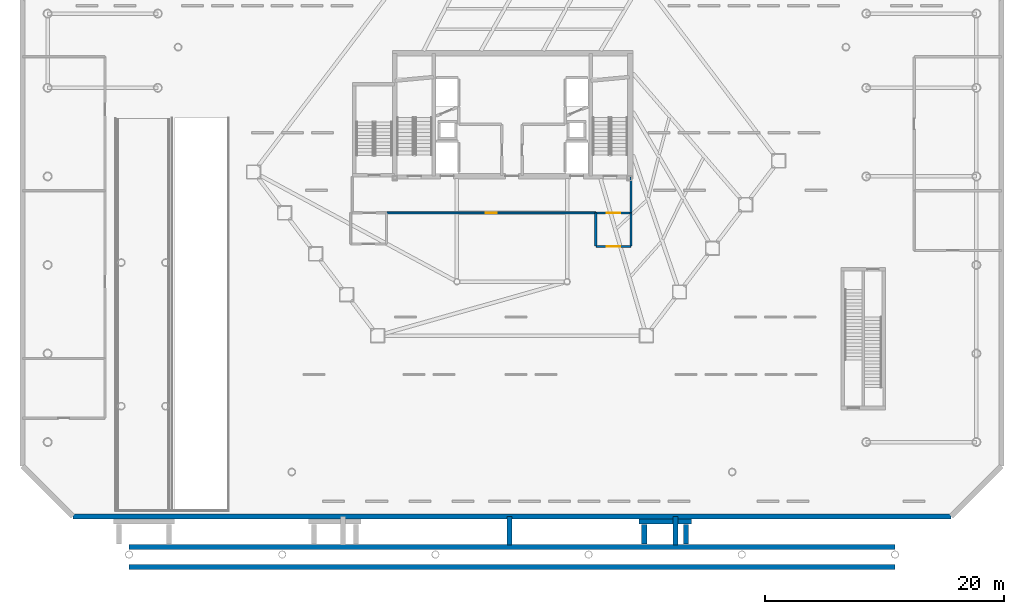
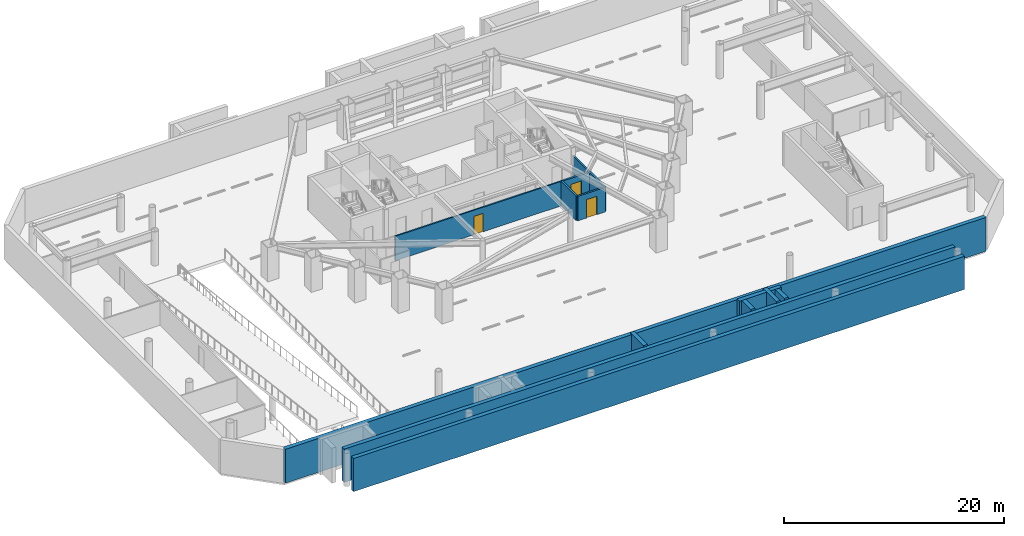
# One storey, part 8 of 15: 14 walls, 3 doors, 3 openings.
"""IFC4 building model written with IfcOpenShell, lengths in metres."""

from ifc_helpers import new_model, si_unit, direction, frame, frame_2d, origin, place, context, subcontext, project, spatial, rectangle, extrude, material, layer, layer_set, type_object, element, fill, save


model = new_model("IFC4")

# Units and contexts
model_context = context("Model", 3, precision=1e-05, world=origin(), true_north=direction((0.0, 1.0)))
body_context = subcontext(model_context, "Body", "Model", "MODEL_VIEW")
ifc_project = project(units=[si_unit("LENGTHUNIT", "METRE"), si_unit("AREAUNIT", "SQUARE_METRE"), si_unit("VOLUMEUNIT", "CUBIC_METRE"), si_unit("PLANEANGLEUNIT", "RADIAN"), si_unit("MASSUNIT", "GRAM", prefix="KILO")], contexts=[model_context])

# Site, building, storey
site_placement = place(None, origin())
site = spatial("IfcSite", under=ifc_project, at=site_placement, CompositionType="ELEMENT")
building_placement = place(site_placement, origin())
building = spatial("IfcBuilding", under=site, at=building_placement, Name="Zarrinselat Tower", CompositionType="ELEMENT")
storey_placement = place(building_placement, frame((0.0, 0.0, -4.080078125)))
storey = spatial("IfcBuildingStorey", under=building, at=storey_placement, Name="B01", CompositionType="ELEMENT", Elevation=-4.080078125)

# Wall, opening, door
ifc_material_1 = material(Name="Concrete C40/50", Category="concrete")
ifc_layer_1 = layer(ifc_material_1, 0.18994140625)
ifc_layer_set_1 = layer_set([ifc_layer_1], Name="Concrete C40/50")
wall_type_1 = type_object("IfcWallType", Name="WAL-PART-EI120", PredefinedType="PARTITIONING", material=ifc_layer_set_1)
wall_1_placement = place(storey_placement, frame((45.405029296875, 30.14990234375, 0.0), z_axis=(0.0, 0.0, 1.0), x_axis=(1.0, 0.0, 0.0)))
wall_1 = element("IfcWall", 1, at=wall_1_placement, inside=storey, type_object=wall_type_1, Name="B01 Partition Wall 7", PredefinedType="PARTITIONING", context=body_context, shape_type="SweptSolid", body=[
    extrude(rectangle(XDim=2.925048828125, YDim=0.18994140625, at=frame_2d((1.46240234375, 0.0))), origin(), (0.0, 0.0, 1.0), 2.717041015625),
])
opening_1_placement = place(wall_1_placement, frame((0.902587890625, 0.0, 0.0)))
opening_1 = element("IfcOpeningElement", 2, at=opening_1_placement, cuts=wall_1, Name="Opening ID-02", PredefinedType="OPENING", context=body_context, shape_type="SweptSolid", body=[
    extrude(rectangle(XDim=1.1201171875, YDim=2.050048828125, at=frame_2d((0.56005859375, 1.02490234375))), frame((0.0, 0.10498046875, 0.0), z_axis=(0.0, -1.0, 0.0), x_axis=(1.0, 0.0, 0.0)), (0.0, 0.0, 1.0), 0.2099609375),
])
ifc_material_2 = material(Name="Steel S355J2", Category="steel")
door_type_1 = type_object("IfcDoorType", Name="DR-INT-FD60-W", OperationType="NOTDEFINED", PredefinedType="DOOR", material=ifc_material_2)
door_1_placement = place(opening_1_placement, origin())
door_1 = element("IfcDoor", 3, at=door_1_placement, inside=storey, type_object=door_type_1, Name="B01 Interior Door P7", OperationType="SINGLE_SWING_LEFT", OverallHeight=2.050048828125, OverallWidth=1.1201171875, PredefinedType="DOOR", context=body_context, shape_type="SweptSolid", body=[
    extrude(rectangle(XDim=1.1201171875, YDim=2.050048828125, at=frame_2d((0.56005859375, 1.02490234375))), frame((0.0, 0.02490234375, 0.0), z_axis=(0.0, -1.0, 0.0), x_axis=(1.0, 0.0, 0.0)), (0.0, 0.0, 1.0), 0.050048828125),
])
fill(opening_1, door_1)

wall_2_placement = place(storey_placement, frame((45.419921875, 27.35009765625, 0.0), z_axis=(0.0, 0.0, 1.0), x_axis=(1.0, 0.0, 0.0)))
wall_2 = element("IfcWall", 4, at=wall_2_placement, inside=storey, type_object=wall_type_1, Name="B01 Partition Wall 12", PredefinedType="PARTITIONING", context=body_context, shape_type="SweptSolid", body=[
    extrude(rectangle(XDim=2.91015625, YDim=0.18994140625, at=frame_2d((1.455078125, 0.0))), origin(), (0.0, 0.0, 1.0), 2.717041015625),
])
opening_2_placement = place(wall_2_placement, frame((0.89501953125, 0.0, 0.0)))
opening_2 = element("IfcOpeningElement", 5, at=opening_2_placement, cuts=wall_2, Name="Opening ID-02", PredefinedType="OPENING", context=body_context, shape_type="SweptSolid", body=[
    extrude(rectangle(XDim=1.1201171875, YDim=2.050048828125, at=frame_2d((0.56005859375, 1.02490234375))), frame((0.0, 0.10498046875, 0.0), z_axis=(0.0, -1.0, 0.0), x_axis=(1.0, 0.0, 0.0)), (0.0, 0.0, 1.0), 0.2099609375),
])
door_2_placement = place(opening_2_placement, origin())
door_2 = element("IfcDoor", 6, at=door_2_placement, inside=storey, type_object=door_type_1, Name="B01 Interior Door P12", OperationType="SINGLE_SWING_RIGHT", OverallHeight=2.050048828125, OverallWidth=1.1201171875, PredefinedType="DOOR", context=body_context, shape_type="SweptSolid", body=[
    extrude(rectangle(XDim=1.1201171875, YDim=2.050048828125, at=frame_2d((0.56005859375, 1.02490234375))), frame((0.0, 0.02490234375, 0.0), z_axis=(0.0, -1.0, 0.0), x_axis=(1.0, 0.0, 0.0)), (0.0, 0.0, 1.0), 0.050048828125),
])
fill(opening_2, door_2)

# Walls
for number, where, z_axis, x_axis, name in (
    (7, (45.39990234375, 27.3701171875, 0.0), (0.0, 0.0, 1.0), (0.0, 1.0, 0.0), "B01 Partition Wall 13"),
    (8, (48.35009765625, 27.3701171875, 0.0), (0.0, 0.0, 1.0), (0.0, 1.0, 0.0), "B01 Partition Wall 14"),
):
    element("IfcWall", number, at=place(storey_placement, frame(where, z_axis=z_axis, x_axis=x_axis)), inside=storey, type_object=wall_type_1, Name=name, PredefinedType="PARTITIONING", context=body_context, shape_type="SweptSolid", body=[
        extrude(rectangle(XDim=2.759765625, YDim=0.18994140625, at=frame_2d((1.3798828125, 0.0))), origin(), (0.0, 0.0, 1.0), 2.717041015625),
    ])
ifc_material_3 = material(Name="Fire-Rated Gypsum Board Partition", Category="gypsum")
ifc_layer_2 = layer(ifc_material_3, 0.14990234375)
ifc_layer_set_2 = layer_set([ifc_layer_2], Name="Fire-Rated Gypsum Board Partition")
wall_type_2 = type_object("IfcWallType", Name="WAL-PART-EI60", PredefinedType="PARTITIONING", material=ifc_layer_set_2)
wall_3_placement = place(storey_placement, frame((48.35009765625, 30.169921875, 0.0), z_axis=(0.0, 0.0, 1.0), x_axis=(0.0, 1.0, 0.0)))
element("IfcWall", 9, at=wall_3_placement, inside=storey, type_object=wall_type_2, Name="B01 Partition Wall 9", PredefinedType="PARTITIONING", context=body_context, shape_type="SweptSolid", body=[
    extrude(rectangle(XDim=2.97509765625, YDim=0.14990234375, at=frame_2d((1.487548828125, 0.0))), origin(), (0.0, 0.0, 1.0), 2.717041015625),
])

# Wall, opening, door
wall_4_placement = place(storey_placement, frame((27.925048828125, 30.14990234375, 0.0), z_axis=(0.0, 0.0, 1.0), x_axis=(1.0, 0.0, 0.0)))
wall_4 = element("IfcWall", 10, at=wall_4_placement, inside=storey, type_object=wall_type_2, Name="B01 Partition Wall 10", PredefinedType="PARTITIONING", context=body_context, shape_type="SweptSolid", body=[
    extrude(rectangle(XDim=17.469970703125, YDim=0.14990234375, at=frame_2d((8.73486328125, 0.0))), origin(), (0.0, 0.0, 1.0), 2.717041015625),
])
opening_3_placement = place(wall_4_placement, frame((8.264892578125, 0.0, 0.0)))
opening_3 = element("IfcOpeningElement", 11, at=opening_3_placement, cuts=wall_4, Name="Opening ID-04", PredefinedType="OPENING", context=body_context, shape_type="SweptSolid", body=[
    extrude(rectangle(XDim=0.93994140625, YDim=2.050048828125, at=frame_2d((0.469970703125, 1.02490234375))), frame((0.0, 0.0849609375, 0.0), z_axis=(0.0, -1.0, 0.0), x_axis=(1.0, 0.0, 0.0)), (0.0, 0.0, 1.0), 0.169921875),
])
ifc_material_4 = material(Name="Fire-Rated Gypsum Board Partition")
door_type_2 = type_object("IfcDoorType", Name="DR-INT-FD30-ENT", OperationType="NOTDEFINED", PredefinedType="DOOR", material=ifc_material_4)
door_3_placement = place(opening_3_placement, origin())
door_3 = element("IfcDoor", 12, at=door_3_placement, inside=storey, type_object=door_type_2, Name="B01 Interior Door P10", OperationType="SINGLE_SWING_LEFT", OverallHeight=2.050048828125, OverallWidth=0.93994140625, PredefinedType="DOOR", context=body_context, shape_type="SweptSolid", body=[
    extrude(rectangle(XDim=0.93994140625, YDim=2.050048828125, at=frame_2d((0.469970703125, 1.02490234375))), frame((0.0, 0.02490234375, 0.0), z_axis=(0.0, -1.0, 0.0), x_axis=(1.0, 0.0, 0.0)), (0.0, 0.0, 1.0), 0.050048828125),
])
fill(opening_3, door_3)

# Walls
ifc_material_5 = material(Name="Concrete C50/60", Category="concrete")
ifc_layer_3 = layer(ifc_material_5, 0.419921875)
ifc_layer_set_3 = layer_set([ifc_layer_3], Name="Concrete C50/60")
wall_type_3 = type_object("IfcWallType", Name="WAL-RET-420", PredefinedType="SOLIDWALL", material=ifc_layer_set_3)
for number, where, z_axis, x_axis, name in (
    (13, (6.39990234375, 0.550048828125, 0.0), (0.0, 0.0, 1.0), (1.0, 0.0, 0.0), "B01 Forecourt Plaza South Substructure Wall"),
    (14, (6.39990234375, 2.25, 0.0), (0.0, 0.0, 1.0), (1.0, 0.0, 0.0), "B01 Forecourt Plaza North Substructure Wall"),
):
    element("IfcWall", number, at=place(storey_placement, frame(where, z_axis=z_axis, x_axis=x_axis)), inside=storey, type_object=wall_type_3, Name=name, PredefinedType="SOLIDWALL", context=body_context, shape_type="SweptSolid", body=[
        extrude(rectangle(XDim=64.0, YDim=0.419921875, at=frame_2d((32.0, 0.0))), origin(), (0.0, 0.0, 1.0), 3.68017578125),
    ])
for number, where, z_axis, x_axis, name in (
    (15, (38.175048828125, 2.39990234375, 0.0), (0.0, 0.0, 1.0), (0.0, 1.0, 0.0), "B01 Accessible Ramp 2 Bearing Wall"),
    (16, (52.074951171875, 2.39990234375, 0.0), (0.0, 0.0, 1.0), (0.0, 1.0, 0.0), "B01 Accessible Ramp 3 Bearing Wall"),
):
    element("IfcWall", number, at=place(storey_placement, frame(where, z_axis=z_axis, x_axis=x_axis)), inside=storey, type_object=wall_type_3, Name=name, PredefinedType="SOLIDWALL", context=body_context, shape_type="SweptSolid", body=[
        extrude(rectangle(XDim=2.400146484375, YDim=0.419921875, at=frame_2d((1.2001953125, 0.0))), origin(), (0.0, 0.0, 1.0), 3.880126953125),
    ])
wall_5_placement = place(storey_placement, frame((49.0, 4.35009765625, 0.0), z_axis=(0.0, 0.0, 1.0), x_axis=(1.0, 0.0, 0.0)))
element("IfcWall", 17, at=wall_5_placement, inside=storey, type_object=wall_type_3, Name="B01 EXE Apron North Bearing Wall", PredefinedType="SOLIDWALL", context=body_context, shape_type="SweptSolid", body=[
    extrude(rectangle(XDim=4.39990234375, YDim=0.419921875, at=frame_2d((2.199951171875, 0.0))), origin(), (0.0, 0.0, 1.0), 3.880126953125),
])
for number, where, z_axis, x_axis, name in (
    (18, (49.449951171875, 2.469970703125, 0.0), (0.0, 0.0, 1.0), (0.0, 1.0, 0.0), "B01 EXE Apron West Cross Bearing Wall"),
    (19, (52.949951171875, 2.469970703125, 0.0), (0.0, 0.0, 1.0), (0.0, 1.0, 0.0), "B01 EXE Apron East Cross Bearing Wall"),
):
    element("IfcWall", number, at=place(storey_placement, frame(where, z_axis=z_axis, x_axis=x_axis)), inside=storey, type_object=wall_type_3, Name=name, PredefinedType="SOLIDWALL", context=body_context, shape_type="SweptSolid", body=[
        extrude(rectangle(XDim=1.659912109375, YDim=0.419921875, at=frame_2d((0.830078125, 0.0))), origin(), (0.0, 0.0, 1.0), 3.880126953125),
    ])
wall_6_placement = place(storey_placement, frame((1.699951171875, 4.800048828125, 0.0), z_axis=(0.0, 0.0, 1.0), x_axis=(1.0, 0.0, 0.0)))
element("IfcWall", 20, at=wall_6_placement, inside=storey, type_object=wall_type_3, Name="B01 Basement Perimeter Retaining Wall 1", PredefinedType="SOLIDWALL", context=body_context, shape_type="SweptSolid", body=[
    extrude(rectangle(XDim=73.400146484375, YDim=0.419921875, at=frame_2d((36.7001953125, 0.0))), origin(), (0.0, 0.0, 1.0), 3.760009765625),
])

save(model, "model.ifc")
